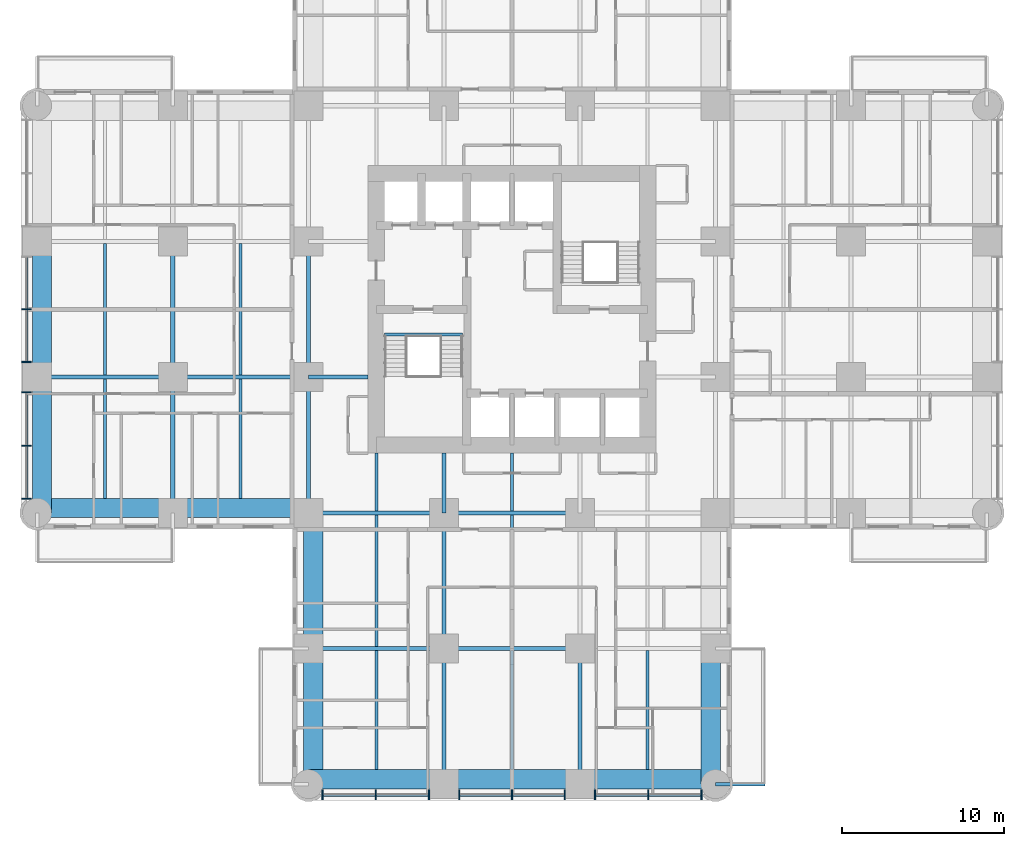
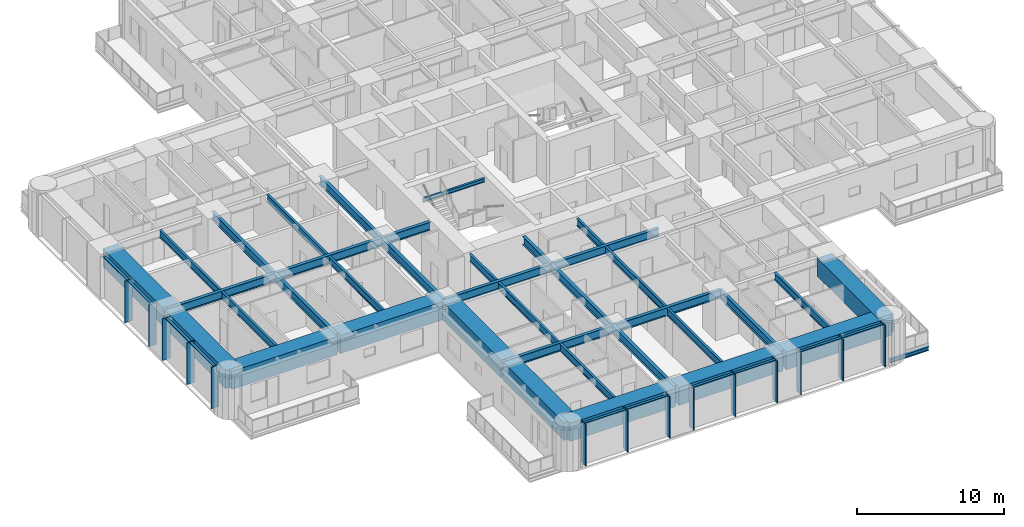
# One storey, part 2 of 17: 38 beams, 24 members, 2 elements without a shape of their own.
"""IFC4 building model written with IfcOpenShell, lengths in metres."""

from ifc_helpers import new_model, si_unit, direction, frame, origin, origin_2d, place, context, subcontext, project, spatial, rectangle, i_section, extrude, material, material_profile, profile_set, type_object, element, aggregate, save


model = new_model("IFC4")

# Units and contexts
model_context = context("Model", 3, precision=1e-05, world=origin(), true_north=direction((0.0, 1.0)))
body_context = subcontext(model_context, "Body", "Model", "MODEL_VIEW")
ifc_project = project(units=[si_unit("LENGTHUNIT", "METRE"), si_unit("AREAUNIT", "SQUARE_METRE"), si_unit("VOLUMEUNIT", "CUBIC_METRE"), si_unit("PLANEANGLEUNIT", "RADIAN"), si_unit("MASSUNIT", "GRAM", prefix="KILO")], contexts=[model_context])

# Site, building, storey
site_placement = place(None, origin())
site = spatial("IfcSite", under=ifc_project, at=site_placement, CompositionType="ELEMENT")
building_placement = place(site_placement, origin())
building = spatial("IfcBuilding", under=site, at=building_placement, Name="Torre Alcanfor", CompositionType="ELEMENT")
storey_placement = place(building_placement, frame((0.0, 0.0, 59.699951171875)))
storey = spatial("IfcBuildingStorey", under=building, at=storey_placement, Name="L14", CompositionType="ELEMENT", Elevation=59.699951171875)

# Beam
ifc_material_1 = material(Name="Steel ASTM A992 Grade 50", Category="steel")
ifc_material_profile_1 = material_profile(ifc_material_1, i_section(OverallWidth=0.205322265625, OverallDepth=0.309814453125, WebThickness=0.00927734375, FlangeThickness=0.016357421875, at=origin_2d()), Name="W12x50")
ifc_profile_set_1 = profile_set([ifc_material_profile_1], Name="Steel ASTM A992 Grade 50")
beam_type_1 = type_object("IfcBeamType", Name="Balcony cantilever beam W12x50", PredefinedType="BEAM", material=ifc_profile_set_1)
beam_1_placement = place(storey_placement, frame((42.0, 0.0, -0.35498046875), z_axis=(1.0, 0.0, 0.0), x_axis=(0.0, 1.0, 0.0)))
element("IfcBeam", 1, at=beam_1_placement, inside=storey, type_object=beam_type_1, Name="Balcony cantilever beam L14-S1 2", PredefinedType="BEAM", context=body_context, shape_type="SweptSolid", body=[
    extrude(i_section(OverallWidth=0.205322265625, OverallDepth=0.309814453125, WebThickness=0.00927734375, FlangeThickness=0.016357421875, at=origin_2d()), origin(), (0.0, 0.0, 1.0), 3.050048828125),
])

# Curtain wall, members
ifc_material_2 = material(Name="Aluminium and glass", Category="aluminium")
curtain_wall_type = type_object("IfcCurtainWallType", Name="CW-A unitised apartment glazing with vertical FIN", PredefinedType="NOTDEFINED", material=ifc_material_2)
curtain_wall_1_placement = place(storey_placement, origin())
curtain_wall_1 = element("IfcCurtainWall", 2, at=curtain_wall_1_placement, inside=storey, type_object=curtain_wall_type, Name="Curtain wall CW-A L14 2", PredefinedType="NOTDEFINED")
ifc_material_3 = material(Name="Bronze anodised aluminium", Category="aluminium")
ifc_material_profile_2 = material_profile(ifc_material_3, rectangle(XDim=0.60009765625, YDim=0.06494140625, at=origin_2d()), Name="CW-A mullion 65x600")
ifc_profile_set_2 = profile_set([ifc_material_profile_2], Name="Bronze anodised aluminium")
member_type_1 = type_object("IfcMemberType", Name="CW-A mullion with vertical FIN 65x600", PredefinedType="MULLION", material=ifc_profile_set_2)
member_1_placement = place(storey_placement, frame((-0.64990234375, 29.39990234375, 0.0), z_axis=(0.0, 0.0, 1.0), x_axis=(1.0, 0.0, 0.0)))
member_1 = element("IfcMember", 3, at=member_1_placement, type_object=member_type_1, Name="CW-A mullion 2.2", PredefinedType="MULLION", context=body_context, shape_type="SweptSolid", body=[
    extrude(rectangle(XDim=0.60009765625, YDim=0.06494140625, at=origin_2d()), origin(), (0.0, 0.0, 1.0), 3.449951171875),
])
member_2_placement = place(storey_placement, frame((-0.64990234375, 26.137451171875, 0.0), z_axis=(0.0, 0.0, 1.0), x_axis=(1.0, 0.0, 0.0)))
member_2 = element("IfcMember", 4, at=member_2_placement, type_object=member_type_1, Name="CW-A mullion 2.3", PredefinedType="MULLION", context=body_context, shape_type="SweptSolid", body=[
    extrude(rectangle(XDim=0.60009765625, YDim=0.06494140625, at=origin_2d()), origin(), (0.0, 0.0, 1.0), 3.449951171875),
])
member_3_placement = place(storey_placement, frame((-0.64990234375, 24.262451171875, 0.0), z_axis=(0.0, 0.0, 1.0), x_axis=(1.0, 0.0, 0.0)))
member_3 = element("IfcMember", 5, at=member_3_placement, type_object=member_type_1, Name="CW-A mullion 3.1", PredefinedType="MULLION", context=body_context, shape_type="SweptSolid", body=[
    extrude(rectangle(XDim=0.60009765625, YDim=0.06494140625, at=origin_2d()), origin(), (0.0, 0.0, 1.0), 3.449951171875),
])
member_4_placement = place(storey_placement, frame((-0.64990234375, 20.96484375, 0.0), z_axis=(0.0, 0.0, 1.0), x_axis=(1.0, 0.0, 0.0)))
member_4 = element("IfcMember", 6, at=member_4_placement, type_object=member_type_1, Name="CW-A mullion 3.2", PredefinedType="MULLION", context=body_context, shape_type="SweptSolid", body=[
    extrude(rectangle(XDim=0.60009765625, YDim=0.06494140625, at=origin_2d()), origin(), (0.0, 0.0, 1.0), 3.449951171875),
])
member_5_placement = place(storey_placement, frame((-0.64990234375, 17.6669921875, 0.0), z_axis=(0.0, 0.0, 1.0), x_axis=(1.0, 0.0, 0.0)))
member_5 = element("IfcMember", 7, at=member_5_placement, type_object=member_type_1, Name="CW-A mullion 3.3", PredefinedType="MULLION", context=body_context, shape_type="SweptSolid", body=[
    extrude(rectangle(XDim=0.60009765625, YDim=0.06494140625, at=origin_2d()), origin(), (0.0, 0.0, 1.0), 3.449951171875),
])

curtain_wall_2_placement = place(storey_placement, origin())
curtain_wall_2 = element("IfcCurtainWall", 8, at=curtain_wall_2_placement, inside=storey, type_object=curtain_wall_type, Name="Curtain wall CW-A L14 5", PredefinedType="NOTDEFINED")
member_6_placement = place(storey_placement, frame((17.6669921875, -0.64990234375, 0.0), z_axis=(0.0, 0.0, 1.0), x_axis=(0.0, 1.0, 0.0)))
member_6 = element("IfcMember", 9, at=member_6_placement, type_object=member_type_1, Name="CW-A mullion 1.1", PredefinedType="MULLION", context=body_context, shape_type="SweptSolid", body=[
    extrude(rectangle(XDim=0.60009765625, YDim=0.06494140625, at=origin_2d()), origin(), (0.0, 0.0, 1.0), 3.449951171875),
])
member_7_placement = place(storey_placement, frame((20.96484375, -0.64990234375, 0.0), z_axis=(0.0, 0.0, 1.0), x_axis=(0.0, 1.0, 0.0)))
member_7 = element("IfcMember", 10, at=member_7_placement, type_object=member_type_1, Name="CW-A mullion 1.2", PredefinedType="MULLION", context=body_context, shape_type="SweptSolid", body=[
    extrude(rectangle(XDim=0.60009765625, YDim=0.06494140625, at=origin_2d()), origin(), (0.0, 0.0, 1.0), 3.449951171875),
])
member_8_placement = place(storey_placement, frame((24.262451171875, -0.64990234375, 0.0), z_axis=(0.0, 0.0, 1.0), x_axis=(0.0, 1.0, 0.0)))
member_8 = element("IfcMember", 11, at=member_8_placement, type_object=member_type_1, Name="CW-A mullion 1.3", PredefinedType="MULLION", context=body_context, shape_type="SweptSolid", body=[
    extrude(rectangle(XDim=0.60009765625, YDim=0.06494140625, at=origin_2d()), origin(), (0.0, 0.0, 1.0), 3.449951171875),
])
member_9_placement = place(storey_placement, frame((26.137451171875, -0.64990234375, 0.0), z_axis=(0.0, 0.0, 1.0), x_axis=(0.0, 1.0, 0.0)))
member_9 = element("IfcMember", 12, at=member_9_placement, type_object=member_type_1, Name="CW-A mullion 2.1", PredefinedType="MULLION", context=body_context, shape_type="SweptSolid", body=[
    extrude(rectangle(XDim=0.60009765625, YDim=0.06494140625, at=origin_2d()), origin(), (0.0, 0.0, 1.0), 3.449951171875),
])
member_10_placement = place(storey_placement, frame((29.39990234375, -0.64990234375, 0.0), z_axis=(0.0, 0.0, 1.0), x_axis=(0.0, 1.0, 0.0)))
member_10 = element("IfcMember", 13, at=member_10_placement, type_object=member_type_1, Name="CW-A mullion 2.2", PredefinedType="MULLION", context=body_context, shape_type="SweptSolid", body=[
    extrude(rectangle(XDim=0.60009765625, YDim=0.06494140625, at=origin_2d()), origin(), (0.0, 0.0, 1.0), 3.449951171875),
])
member_11_placement = place(storey_placement, frame((32.66259765625, -0.64990234375, 0.0), z_axis=(0.0, 0.0, 1.0), x_axis=(0.0, 1.0, 0.0)))
member_11 = element("IfcMember", 14, at=member_11_placement, type_object=member_type_1, Name="CW-A mullion 2.3", PredefinedType="MULLION", context=body_context, shape_type="SweptSolid", body=[
    extrude(rectangle(XDim=0.60009765625, YDim=0.06494140625, at=origin_2d()), origin(), (0.0, 0.0, 1.0), 3.449951171875),
])
member_12_placement = place(storey_placement, frame((34.53759765625, -0.64990234375, 0.0), z_axis=(0.0, 0.0, 1.0), x_axis=(0.0, 1.0, 0.0)))
member_12 = element("IfcMember", 15, at=member_12_placement, type_object=member_type_1, Name="CW-A mullion 3.1", PredefinedType="MULLION", context=body_context, shape_type="SweptSolid", body=[
    extrude(rectangle(XDim=0.60009765625, YDim=0.06494140625, at=origin_2d()), origin(), (0.0, 0.0, 1.0), 3.449951171875),
])
member_13_placement = place(storey_placement, frame((37.835205078125, -0.64990234375, 0.0), z_axis=(0.0, 0.0, 1.0), x_axis=(0.0, 1.0, 0.0)))
member_13 = element("IfcMember", 16, at=member_13_placement, type_object=member_type_1, Name="CW-A mullion 3.2", PredefinedType="MULLION", context=body_context, shape_type="SweptSolid", body=[
    extrude(rectangle(XDim=0.60009765625, YDim=0.06494140625, at=origin_2d()), origin(), (0.0, 0.0, 1.0), 3.449951171875),
])
member_14_placement = place(storey_placement, frame((41.133056640625, -0.64990234375, 0.0), z_axis=(0.0, 0.0, 1.0), x_axis=(0.0, 1.0, 0.0)))
member_14 = element("IfcMember", 17, at=member_14_placement, type_object=member_type_1, Name="CW-A mullion 3.3", PredefinedType="MULLION", context=body_context, shape_type="SweptSolid", body=[
    extrude(rectangle(XDim=0.60009765625, YDim=0.06494140625, at=origin_2d()), origin(), (0.0, 0.0, 1.0), 3.449951171875),
])

# Member
ifc_material_4 = material(Name="Extruded aluminium", Category="aluminium")
ifc_material_profile_3 = material_profile(ifc_material_4, rectangle(XDim=0.199951171875, YDim=0.06494140625, at=origin_2d()), Name="CW-A transom 200x65")
ifc_profile_set_3 = profile_set([ifc_material_profile_3], Name="Extruded aluminium")
member_type_2 = type_object("IfcMemberType", Name="CW-A transom 65x200", PredefinedType="USERDEFINED", material=ifc_profile_set_3)
member_15_placement = place(storey_placement, frame((-0.64990234375, 32.6298828125, 3.41748046875), z_axis=(0.0, -1.0, 0.0), x_axis=(1.0, 0.0, 0.0)))
member_15 = element("IfcMember", 18, at=member_15_placement, type_object=member_type_2, Name="CW-A transom 2.1.2", ObjectType="TRANSOM", PredefinedType="USERDEFINED", context=body_context, shape_type="SweptSolid", body=[
    extrude(rectangle(XDim=0.199951171875, YDim=0.06494140625, at=origin_2d()), origin(), (0.0, 0.0, 1.0), 3.197265625),
])

member_16_placement = place(storey_placement, frame((-0.64990234375, 29.367431640625, 3.41748046875), z_axis=(0.0, -1.0, 0.0), x_axis=(1.0, 0.0, 0.0)))
member_16 = element("IfcMember", 19, at=member_16_placement, type_object=member_type_2, Name="CW-A transom 2.2.2", ObjectType="TRANSOM", PredefinedType="USERDEFINED", context=body_context, shape_type="SweptSolid", body=[
    extrude(rectangle(XDim=0.199951171875, YDim=0.06494140625, at=origin_2d()), origin(), (0.0, 0.0, 1.0), 3.197509765625),
])

member_17_placement = place(storey_placement, frame((-0.64990234375, 24.22998046875, 3.41748046875), z_axis=(0.0, -1.0, 0.0), x_axis=(1.0, 0.0, 0.0)))
member_17 = element("IfcMember", 20, at=member_17_placement, type_object=member_type_2, Name="CW-A transom 3.1.2", ObjectType="TRANSOM", PredefinedType="USERDEFINED", context=body_context, shape_type="SweptSolid", body=[
    extrude(rectangle(XDim=0.199951171875, YDim=0.06494140625, at=origin_2d()), origin(), (0.0, 0.0, 1.0), 3.232666015625),
])

member_18_placement = place(storey_placement, frame((-0.64990234375, 20.93212890625, 3.41748046875), z_axis=(0.0, -1.0, 0.0), x_axis=(1.0, 0.0, 0.0)))
member_18 = element("IfcMember", 21, at=member_18_placement, type_object=member_type_2, Name="CW-A transom 3.2.2", ObjectType="TRANSOM", PredefinedType="USERDEFINED", context=body_context, shape_type="SweptSolid", body=[
    extrude(rectangle(XDim=0.199951171875, YDim=0.06494140625, at=origin_2d()), origin(), (0.0, 0.0, 1.0), 3.232666015625),
])

aggregate(curtain_wall_1, [member_1, member_2, member_15, member_16, member_3, member_4, member_5, member_17, member_18])

member_19_placement = place(storey_placement, frame((17.699462890625, -0.64990234375, 3.41748046875), z_axis=(1.0, 0.0, 0.0), x_axis=(0.0, 1.0, 0.0)))
member_19 = element("IfcMember", 22, at=member_19_placement, type_object=member_type_2, Name="CW-A transom 1.1.2", ObjectType="TRANSOM", PredefinedType="USERDEFINED", context=body_context, shape_type="SweptSolid", body=[
    extrude(rectangle(XDim=0.199951171875, YDim=0.06494140625, at=origin_2d()), origin(), (0.0, 0.0, 1.0), 3.232666015625),
])

member_20_placement = place(storey_placement, frame((20.997314453125, -0.64990234375, 3.41748046875), z_axis=(1.0, 0.0, 0.0), x_axis=(0.0, 1.0, 0.0)))
member_20 = element("IfcMember", 23, at=member_20_placement, type_object=member_type_2, Name="CW-A transom 1.2.2", ObjectType="TRANSOM", PredefinedType="USERDEFINED", context=body_context, shape_type="SweptSolid", body=[
    extrude(rectangle(XDim=0.199951171875, YDim=0.06494140625, at=origin_2d()), origin(), (0.0, 0.0, 1.0), 3.232666015625),
])

member_21_placement = place(storey_placement, frame((26.169921875, -0.64990234375, 3.41748046875), z_axis=(1.0, 0.0, 0.0), x_axis=(0.0, 1.0, 0.0)))
member_21 = element("IfcMember", 24, at=member_21_placement, type_object=member_type_2, Name="CW-A transom 2.1.2", ObjectType="TRANSOM", PredefinedType="USERDEFINED", context=body_context, shape_type="SweptSolid", body=[
    extrude(rectangle(XDim=0.199951171875, YDim=0.06494140625, at=origin_2d()), origin(), (0.0, 0.0, 1.0), 3.197509765625),
])

member_22_placement = place(storey_placement, frame((29.4326171875, -0.64990234375, 3.41748046875), z_axis=(1.0, 0.0, 0.0), x_axis=(0.0, 1.0, 0.0)))
member_22 = element("IfcMember", 25, at=member_22_placement, type_object=member_type_2, Name="CW-A transom 2.2.2", ObjectType="TRANSOM", PredefinedType="USERDEFINED", context=body_context, shape_type="SweptSolid", body=[
    extrude(rectangle(XDim=0.199951171875, YDim=0.06494140625, at=origin_2d()), origin(), (0.0, 0.0, 1.0), 3.197265625),
])

member_23_placement = place(storey_placement, frame((34.570068359375, -0.64990234375, 3.41748046875), z_axis=(1.0, 0.0, 0.0), x_axis=(0.0, 1.0, 0.0)))
member_23 = element("IfcMember", 26, at=member_23_placement, type_object=member_type_2, Name="CW-A transom 3.1.2", ObjectType="TRANSOM", PredefinedType="USERDEFINED", context=body_context, shape_type="SweptSolid", body=[
    extrude(rectangle(XDim=0.199951171875, YDim=0.06494140625, at=origin_2d()), origin(), (0.0, 0.0, 1.0), 3.232666015625),
])

member_24_placement = place(storey_placement, frame((37.86767578125, -0.64990234375, 3.41748046875), z_axis=(1.0, 0.0, 0.0), x_axis=(0.0, 1.0, 0.0)))
member_24 = element("IfcMember", 27, at=member_24_placement, type_object=member_type_2, Name="CW-A transom 3.2.2", ObjectType="TRANSOM", PredefinedType="USERDEFINED", context=body_context, shape_type="SweptSolid", body=[
    extrude(rectangle(XDim=0.199951171875, YDim=0.06494140625, at=origin_2d()), origin(), (0.0, 0.0, 1.0), 3.23291015625),
])

aggregate(curtain_wall_2, [member_6, member_7, member_8, member_19, member_20, member_9, member_10, member_11, member_21, member_22, member_12, member_13, member_14, member_23, member_24])

# Beams
ifc_material_5 = material(Name="Steel ASTM A992 Grade 50", Category="steel")
ifc_material_profile_4 = material_profile(ifc_material_5, i_section(OverallWidth=0.25390625, OverallDepth=0.683349609375, WebThickness=0.012451171875, FlangeThickness=0.01904296875, at=origin_2d()), Name="W27x94")
ifc_profile_set_4 = profile_set([ifc_material_profile_4], Name="Steel ASTM A992 Grade 50")
beam_type_2 = type_object("IfcBeamType", Name="Girder W27x94", PredefinedType="BEAM", material=ifc_profile_set_4)
beam_2_placement = place(storey_placement, frame((16.800048828125, 8.39990234375, 3.1083984375), z_axis=(1.0, 0.0, 0.0), x_axis=(0.0, 1.0, 0.0)))
element("IfcBeam", 28, at=beam_2_placement, inside=storey, type_object=beam_type_2, Name="Beam 3D-4D under L15", PredefinedType="BEAM", context=body_context, shape_type="SweptSolid", body=[
    extrude(i_section(OverallWidth=0.25390625, OverallDepth=0.683349609375, WebThickness=0.012451171875, FlangeThickness=0.01904296875, at=origin_2d()), origin(), (0.0, 0.0, 1.0), 8.39990234375),
])
beam_3_placement = place(storey_placement, frame((25.199951171875, 8.39990234375, 3.1083984375), z_axis=(1.0, 0.0, 0.0), x_axis=(0.0, 1.0, 0.0)))
element("IfcBeam", 29, at=beam_3_placement, inside=storey, type_object=beam_type_2, Name="Beam 4D-5D under L15", PredefinedType="BEAM", context=body_context, shape_type="SweptSolid", body=[
    extrude(i_section(OverallWidth=0.25390625, OverallDepth=0.683349609375, WebThickness=0.012451171875, FlangeThickness=0.01904296875, at=origin_2d()), origin(), (0.0, 0.0, 1.0), 8.400146484375),
])
beam_4_placement = place(storey_placement, frame((16.800048828125, 16.800048828125, 3.1083984375), z_axis=(1.0, 0.0, 0.0), x_axis=(0.0, 1.0, 0.0)))
element("IfcBeam", 30, at=beam_4_placement, inside=storey, type_object=beam_type_2, Name="Beam 3E-4E under L15", PredefinedType="BEAM", context=body_context, shape_type="SweptSolid", body=[
    extrude(i_section(OverallWidth=0.25390625, OverallDepth=0.683349609375, WebThickness=0.012451171875, FlangeThickness=0.01904296875, at=origin_2d()), origin(), (0.0, 0.0, 1.0), 8.39990234375),
])
beam_5_placement = place(storey_placement, frame((25.199951171875, 16.800048828125, 3.1083984375), z_axis=(1.0, 0.0, 0.0), x_axis=(0.0, 1.0, 0.0)))
element("IfcBeam", 31, at=beam_5_placement, inside=storey, type_object=beam_type_2, Name="Beam 4E-5E under L15", PredefinedType="BEAM", context=body_context, shape_type="SweptSolid", body=[
    extrude(i_section(OverallWidth=0.25390625, OverallDepth=0.683349609375, WebThickness=0.012451171875, FlangeThickness=0.01904296875, at=origin_2d()), origin(), (0.0, 0.0, 1.0), 8.400146484375),
])
beam_6_placement = place(storey_placement, frame((0.0, 25.199951171875, 3.1083984375), z_axis=(1.0, 0.0, 0.0), x_axis=(0.0, 1.0, 0.0)))
element("IfcBeam", 32, at=beam_6_placement, inside=storey, type_object=beam_type_2, Name="Beam 1F-2F under L15", PredefinedType="BEAM", context=body_context, shape_type="SweptSolid", body=[
    extrude(i_section(OverallWidth=0.25390625, OverallDepth=0.683349609375, WebThickness=0.012451171875, FlangeThickness=0.01904296875, at=origin_2d()), origin(), (0.0, 0.0, 1.0), 8.39990234375),
])
beam_7_placement = place(storey_placement, frame((8.39990234375, 25.199951171875, 3.1083984375), z_axis=(1.0, 0.0, 0.0), x_axis=(0.0, 1.0, 0.0)))
element("IfcBeam", 33, at=beam_7_placement, inside=storey, type_object=beam_type_2, Name="Beam 2F-3F under L15", PredefinedType="BEAM", context=body_context, shape_type="SweptSolid", body=[
    extrude(i_section(OverallWidth=0.25390625, OverallDepth=0.683349609375, WebThickness=0.012451171875, FlangeThickness=0.01904296875, at=origin_2d()), origin(), (0.0, 0.0, 1.0), 8.400146484375),
])
beam_8_placement = place(storey_placement, frame((8.39990234375, 16.800048828125, 3.1083984375), z_axis=(0.0, 1.0, 0.0), x_axis=(-1.0, 0.0, 0.0)))
element("IfcBeam", 34, at=beam_8_placement, inside=storey, type_object=beam_type_2, Name="Beam 2E-2F under L15", PredefinedType="BEAM", context=body_context, shape_type="SweptSolid", body=[
    extrude(i_section(OverallWidth=0.25390625, OverallDepth=0.683349609375, WebThickness=0.012451171875, FlangeThickness=0.01904296875, at=origin_2d()), origin(), (0.0, 0.0, 1.0), 8.39990234375),
])
beam_9_placement = place(storey_placement, frame((8.39990234375, 25.199951171875, 3.1083984375), z_axis=(0.0, 1.0, 0.0), x_axis=(-1.0, 0.0, 0.0)))
element("IfcBeam", 35, at=beam_9_placement, inside=storey, type_object=beam_type_2, Name="Beam 2F-2G under L15", PredefinedType="BEAM", context=body_context, shape_type="SweptSolid", body=[
    extrude(i_section(OverallWidth=0.25390625, OverallDepth=0.683349609375, WebThickness=0.012451171875, FlangeThickness=0.01904296875, at=origin_2d()), origin(), (0.0, 0.0, 1.0), 8.400146484375),
])
beam_10_placement = place(storey_placement, frame((16.800048828125, 16.800048828125, 3.1083984375), z_axis=(0.0, 1.0, 0.0), x_axis=(-1.0, 0.0, 0.0)))
element("IfcBeam", 36, at=beam_10_placement, inside=storey, type_object=beam_type_2, Name="Beam 3E-3F under L15", PredefinedType="BEAM", context=body_context, shape_type="SweptSolid", body=[
    extrude(i_section(OverallWidth=0.25390625, OverallDepth=0.683349609375, WebThickness=0.012451171875, FlangeThickness=0.01904296875, at=origin_2d()), origin(), (0.0, 0.0, 1.0), 8.39990234375),
])
beam_11_placement = place(storey_placement, frame((16.800048828125, 25.199951171875, 3.1083984375), z_axis=(0.0, 1.0, 0.0), x_axis=(-1.0, 0.0, 0.0)))
element("IfcBeam", 37, at=beam_11_placement, inside=storey, type_object=beam_type_2, Name="Beam 3F-3G under L15", PredefinedType="BEAM", context=body_context, shape_type="SweptSolid", body=[
    extrude(i_section(OverallWidth=0.25390625, OverallDepth=0.683349609375, WebThickness=0.012451171875, FlangeThickness=0.01904296875, at=origin_2d()), origin(), (0.0, 0.0, 1.0), 8.400146484375),
])
beam_12_placement = place(storey_placement, frame((25.199951171875, 0.0, 3.1083984375), z_axis=(0.0, 1.0, 0.0), x_axis=(-1.0, 0.0, 0.0)))
element("IfcBeam", 38, at=beam_12_placement, inside=storey, type_object=beam_type_2, Name="Beam 4C-4D under L15", PredefinedType="BEAM", context=body_context, shape_type="SweptSolid", body=[
    extrude(i_section(OverallWidth=0.25390625, OverallDepth=0.683349609375, WebThickness=0.012451171875, FlangeThickness=0.01904296875, at=origin_2d()), origin(), (0.0, 0.0, 1.0), 8.39990234375),
])
beam_13_placement = place(storey_placement, frame((25.199951171875, 8.39990234375, 3.1083984375), z_axis=(0.0, 1.0, 0.0), x_axis=(-1.0, 0.0, 0.0)))
element("IfcBeam", 39, at=beam_13_placement, inside=storey, type_object=beam_type_2, Name="Beam 4D-4E under L15", PredefinedType="BEAM", context=body_context, shape_type="SweptSolid", body=[
    extrude(i_section(OverallWidth=0.25390625, OverallDepth=0.683349609375, WebThickness=0.012451171875, FlangeThickness=0.01904296875, at=origin_2d()), origin(), (0.0, 0.0, 1.0), 8.400146484375),
])
beam_14_placement = place(storey_placement, frame((33.60009765625, 0.0, 3.1083984375), z_axis=(0.0, 1.0, 0.0), x_axis=(-1.0, 0.0, 0.0)))
element("IfcBeam", 40, at=beam_14_placement, inside=storey, type_object=beam_type_2, Name="Beam 5C-5D under L15", PredefinedType="BEAM", context=body_context, shape_type="SweptSolid", body=[
    extrude(i_section(OverallWidth=0.25390625, OverallDepth=0.683349609375, WebThickness=0.012451171875, FlangeThickness=0.01904296875, at=origin_2d()), origin(), (0.0, 0.0, 1.0), 8.39990234375),
])
ifc_material_6 = material(Name="Steel ASTM A992 Grade 50", Category="steel")
ifc_material_profile_5 = material_profile(ifc_material_6, i_section(OverallWidth=0.25390625, OverallDepth=0.683349609375, WebThickness=0.012451171875, FlangeThickness=0.01904296875, at=origin_2d()), Name="W27x94")
ifc_profile_set_5 = profile_set([ifc_material_profile_5], Name="Steel ASTM A992 Grade 50")
beam_type_3 = type_object("IfcBeamType", Name="Girder, part bay W27x94", PredefinedType="BEAM", material=ifc_profile_set_5)
for number, where, z_axis, x_axis, name in (
    (41, (25.199951171875, 16.800048828125, 3.1083984375), (0.0, 1.0, 0.0), (-1.0, 0.0, 0.0), "Beam 4E-420_5 under L15"),
    (42, (16.800048828125, 25.199951171875, 3.1083984375), (1.0, 0.0, 0.0), (0.0, 1.0, 0.0), "Beam 3F-20_5F under L15"),
):
    element("IfcBeam", number, at=place(storey_placement, frame(where, z_axis=z_axis, x_axis=x_axis)), inside=storey, type_object=beam_type_3, Name=name, PredefinedType="BEAM", context=body_context, shape_type="SweptSolid", body=[
        extrude(i_section(OverallWidth=0.25390625, OverallDepth=0.683349609375, WebThickness=0.012451171875, FlangeThickness=0.01904296875, at=origin_2d()), origin(), (0.0, 0.0, 1.0), 3.699951171875),
    ])
ifc_material_7 = material(Name="Concrete f'c 70 MPa", Category="concrete")
ifc_material_profile_6 = material_profile(ifc_material_7, rectangle(XDim=1.199951171875, YDim=1.5, at=origin_2d()), Name="1200x1500")
ifc_profile_set_6 = profile_set([ifc_material_profile_6], Name="Concrete f'c 70 MPa")
beam_type_4 = type_object("IfcBeamType", Name="RC perimeter beam 1200x1500", PredefinedType="BEAM", material=ifc_profile_set_6)
beam_15_placement = place(storey_placement, frame((16.800048828125, 0.300048828125, 2.699951171875), z_axis=(1.0, 0.0, 0.0), x_axis=(0.0, 1.0, 0.0)))
element("IfcBeam", 43, at=beam_15_placement, inside=storey, type_object=beam_type_4, Name="Beam 3C-4C under L15", PredefinedType="BEAM", context=body_context, shape_type="SweptSolid", body=[
    extrude(rectangle(XDim=1.199951171875, YDim=1.5, at=origin_2d()), origin(), (0.0, 0.0, 1.0), 8.27294921875),
])
beam_16_placement = place(storey_placement, frame((25.326904296875, 0.300048828125, 2.699951171875), z_axis=(1.0, 0.0, 0.0), x_axis=(0.0, 1.0, 0.0)))
element("IfcBeam", 44, at=beam_16_placement, inside=storey, type_object=beam_type_4, Name="Beam 4C-5C under L15", PredefinedType="BEAM", context=body_context, shape_type="SweptSolid", body=[
    extrude(rectangle(XDim=1.199951171875, YDim=1.5, at=origin_2d()), origin(), (0.0, 0.0, 1.0), 8.14599609375),
])
for number, where, z_axis, x_axis, name in (
    (45, (33.72705078125, 0.300048828125, 2.699951171875), (1.0, 0.0, 0.0), (0.0, 1.0, 0.0), "Beam 5C-6C under L15"),
    (46, (0.0, 17.10009765625, 2.699951171875), (1.0, 0.0, 0.0), (0.0, 1.0, 0.0), "Beam 1E-2E under L15"),
):
    element("IfcBeam", number, at=place(storey_placement, frame(where, z_axis=z_axis, x_axis=x_axis)), inside=storey, type_object=beam_type_4, Name=name, PredefinedType="BEAM", context=body_context, shape_type="SweptSolid", body=[
        extrude(rectangle(XDim=1.199951171875, YDim=1.5, at=origin_2d()), origin(), (0.0, 0.0, 1.0), 8.27294921875),
    ])
beam_17_placement = place(storey_placement, frame((8.527099609375, 17.10009765625, 2.699951171875), z_axis=(1.0, 0.0, 0.0), x_axis=(0.0, 1.0, 0.0)))
element("IfcBeam", 47, at=beam_17_placement, inside=storey, type_object=beam_type_4, Name="Beam 2E-3E under L15", PredefinedType="BEAM", context=body_context, shape_type="SweptSolid", body=[
    extrude(rectangle(XDim=1.199951171875, YDim=1.5, at=origin_2d()), origin(), (0.0, 0.0, 1.0), 8.14599609375),
])
beam_18_placement = place(storey_placement, frame((0.300048828125, 16.800048828125, 2.699951171875), z_axis=(0.0, 1.0, 0.0), x_axis=(-1.0, 0.0, 0.0)))
element("IfcBeam", 48, at=beam_18_placement, inside=storey, type_object=beam_type_4, Name="Beam 1E-1F under L15", PredefinedType="BEAM", context=body_context, shape_type="SweptSolid", body=[
    extrude(rectangle(XDim=1.199951171875, YDim=1.5, at=origin_2d()), origin(), (0.0, 0.0, 1.0), 8.27294921875),
])
beam_19_placement = place(storey_placement, frame((0.300048828125, 25.326904296875, 2.699951171875), z_axis=(0.0, 1.0, 0.0), x_axis=(-1.0, 0.0, 0.0)))
element("IfcBeam", 49, at=beam_19_placement, inside=storey, type_object=beam_type_4, Name="Beam 1F-1G under L15", PredefinedType="BEAM", context=body_context, shape_type="SweptSolid", body=[
    extrude(rectangle(XDim=1.199951171875, YDim=1.5, at=origin_2d()), origin(), (0.0, 0.0, 1.0), 8.14599609375),
])
beam_20_placement = place(storey_placement, frame((17.10009765625, 0.0, 2.699951171875), z_axis=(0.0, 1.0, 0.0), x_axis=(-1.0, 0.0, 0.0)))
element("IfcBeam", 50, at=beam_20_placement, inside=storey, type_object=beam_type_4, Name="Beam 3C-3D under L15", PredefinedType="BEAM", context=body_context, shape_type="SweptSolid", body=[
    extrude(rectangle(XDim=1.199951171875, YDim=1.5, at=origin_2d()), origin(), (0.0, 0.0, 1.0), 8.27294921875),
])
beam_21_placement = place(storey_placement, frame((17.10009765625, 8.527099609375, 2.699951171875), z_axis=(0.0, 1.0, 0.0), x_axis=(-1.0, 0.0, 0.0)))
element("IfcBeam", 51, at=beam_21_placement, inside=storey, type_object=beam_type_4, Name="Beam 3D-3E under L15", PredefinedType="BEAM", context=body_context, shape_type="SweptSolid", body=[
    extrude(rectangle(XDim=1.199951171875, YDim=1.5, at=origin_2d()), origin(), (0.0, 0.0, 1.0), 8.14599609375),
])
beam_22_placement = place(storey_placement, frame((41.699951171875, 0.0, 2.699951171875), z_axis=(0.0, 1.0, 0.0), x_axis=(-1.0, 0.0, 0.0)))
element("IfcBeam", 52, at=beam_22_placement, inside=storey, type_object=beam_type_4, Name="Beam 6C-6D under L15", PredefinedType="BEAM", context=body_context, shape_type="SweptSolid", body=[
    extrude(rectangle(XDim=1.199951171875, YDim=1.5, at=origin_2d()), origin(), (0.0, 0.0, 1.0), 8.27294921875),
])
ifc_material_8 = material(Name="Steel ASTM A992 Grade 50", Category="steel")
ifc_material_profile_7 = material_profile(ifc_material_8, i_section(OverallWidth=0.1787109375, OverallDepth=0.60205078125, WebThickness=0.010986328125, FlangeThickness=0.014892578125, at=origin_2d()), Name="W24x62")
ifc_profile_set_7 = profile_set([ifc_material_profile_7], Name="Steel ASTM A992 Grade 50")
beam_type_5 = type_object("IfcBeamType", Name="Secondary beam W24x62", PredefinedType="BEAM", material=ifc_profile_set_7)
beam_23_placement = place(storey_placement, frame((4.199951171875, 17.699951171875, 3.149169921875), z_axis=(0.0, 1.0, 0.0), x_axis=(-1.0, 0.0, 0.0)))
element("IfcBeam", 53, at=beam_23_placement, inside=storey, type_object=beam_type_5, Name="Beam 4_2E-4_2F under L15", PredefinedType="BEAM", context=body_context, shape_type="SweptSolid", body=[
    extrude(i_section(OverallWidth=0.1787109375, OverallDepth=0.60205078125, WebThickness=0.010986328125, FlangeThickness=0.014892578125, at=origin_2d()), origin(), (0.0, 0.0, 1.0), 7.373046875),
])
beam_24_placement = place(storey_placement, frame((4.199951171875, 25.326904296875, 3.149169921875), z_axis=(0.0, 1.0, 0.0), x_axis=(-1.0, 0.0, 0.0)))
element("IfcBeam", 54, at=beam_24_placement, inside=storey, type_object=beam_type_5, Name="Beam 4_2F-4_2G under L15", PredefinedType="BEAM", context=body_context, shape_type="SweptSolid", body=[
    extrude(i_section(OverallWidth=0.1787109375, OverallDepth=0.60205078125, WebThickness=0.010986328125, FlangeThickness=0.014892578125, at=origin_2d()), origin(), (0.0, 0.0, 1.0), 8.14599609375),
])
beam_25_placement = place(storey_placement, frame((12.60009765625, 17.699951171875, 3.149169921875), z_axis=(0.0, 1.0, 0.0), x_axis=(-1.0, 0.0, 0.0)))
element("IfcBeam", 55, at=beam_25_placement, inside=storey, type_object=beam_type_5, Name="Beam 12_6E-12_6F under L15", PredefinedType="BEAM", context=body_context, shape_type="SweptSolid", body=[
    extrude(i_section(OverallWidth=0.1787109375, OverallDepth=0.60205078125, WebThickness=0.010986328125, FlangeThickness=0.014892578125, at=origin_2d()), origin(), (0.0, 0.0, 1.0), 7.373046875),
])
beam_26_placement = place(storey_placement, frame((12.60009765625, 25.326904296875, 3.149169921875), z_axis=(0.0, 1.0, 0.0), x_axis=(-1.0, 0.0, 0.0)))
element("IfcBeam", 56, at=beam_26_placement, inside=storey, type_object=beam_type_5, Name="Beam 12_6F-12_6G under L15", PredefinedType="BEAM", context=body_context, shape_type="SweptSolid", body=[
    extrude(i_section(OverallWidth=0.1787109375, OverallDepth=0.60205078125, WebThickness=0.010986328125, FlangeThickness=0.014892578125, at=origin_2d()), origin(), (0.0, 0.0, 1.0), 8.14599609375),
])
beam_27_placement = place(storey_placement, frame((21.0, 0.89990234375, 3.149169921875), z_axis=(0.0, 1.0, 0.0), x_axis=(-1.0, 0.0, 0.0)))
element("IfcBeam", 57, at=beam_27_placement, inside=storey, type_object=beam_type_5, Name="Beam 21C-21D under L15", PredefinedType="BEAM", context=body_context, shape_type="SweptSolid", body=[
    extrude(i_section(OverallWidth=0.1787109375, OverallDepth=0.60205078125, WebThickness=0.010986328125, FlangeThickness=0.014892578125, at=origin_2d()), origin(), (0.0, 0.0, 1.0), 7.373046875),
])
beam_28_placement = place(storey_placement, frame((21.0, 8.527099609375, 3.149169921875), z_axis=(0.0, 1.0, 0.0), x_axis=(-1.0, 0.0, 0.0)))
element("IfcBeam", 58, at=beam_28_placement, inside=storey, type_object=beam_type_5, Name="Beam 21D-21E under L15", PredefinedType="BEAM", context=body_context, shape_type="SweptSolid", body=[
    extrude(i_section(OverallWidth=0.1787109375, OverallDepth=0.60205078125, WebThickness=0.010986328125, FlangeThickness=0.014892578125, at=origin_2d()), origin(), (0.0, 0.0, 1.0), 8.14599609375),
])
beam_29_placement = place(storey_placement, frame((29.39990234375, 0.89990234375, 3.149169921875), z_axis=(0.0, 1.0, 0.0), x_axis=(-1.0, 0.0, 0.0)))
element("IfcBeam", 59, at=beam_29_placement, inside=storey, type_object=beam_type_5, Name="Beam 29_4C-29_4D under L15", PredefinedType="BEAM", context=body_context, shape_type="SweptSolid", body=[
    extrude(i_section(OverallWidth=0.1787109375, OverallDepth=0.60205078125, WebThickness=0.010986328125, FlangeThickness=0.014892578125, at=origin_2d()), origin(), (0.0, 0.0, 1.0), 7.373046875),
])
beam_30_placement = place(storey_placement, frame((29.39990234375, 8.527099609375, 3.149169921875), z_axis=(0.0, 1.0, 0.0), x_axis=(-1.0, 0.0, 0.0)))
element("IfcBeam", 60, at=beam_30_placement, inside=storey, type_object=beam_type_5, Name="Beam 29_4D-29_4E under L15", PredefinedType="BEAM", context=body_context, shape_type="SweptSolid", body=[
    extrude(i_section(OverallWidth=0.1787109375, OverallDepth=0.60205078125, WebThickness=0.010986328125, FlangeThickness=0.014892578125, at=origin_2d()), origin(), (0.0, 0.0, 1.0), 8.14599609375),
])
beam_31_placement = place(storey_placement, frame((37.800048828125, 0.89990234375, 3.149169921875), z_axis=(0.0, 1.0, 0.0), x_axis=(-1.0, 0.0, 0.0)))
element("IfcBeam", 61, at=beam_31_placement, inside=storey, type_object=beam_type_5, Name="Beam 37_8C-37_8D under L15", PredefinedType="BEAM", context=body_context, shape_type="SweptSolid", body=[
    extrude(i_section(OverallWidth=0.1787109375, OverallDepth=0.60205078125, WebThickness=0.010986328125, FlangeThickness=0.014892578125, at=origin_2d()), origin(), (0.0, 0.0, 1.0), 7.373046875),
])
ifc_material_9 = material(Name="Steel ASTM A992 Grade 50", Category="steel")
ifc_material_profile_8 = material_profile(ifc_material_9, i_section(OverallWidth=0.1787109375, OverallDepth=0.60205078125, WebThickness=0.010986328125, FlangeThickness=0.014892578125, at=origin_2d()), Name="W24x62")
ifc_profile_set_8 = profile_set([ifc_material_profile_8], Name="Steel ASTM A992 Grade 50")
beam_type_6 = type_object("IfcBeamType", Name="Secondary beam, part bay W24x62", PredefinedType="BEAM", material=ifc_profile_set_8)
for number, where, z_axis, x_axis, name in (
    (62, (21.0, 16.927001953125, 3.149169921875), (0.0, 1.0, 0.0), (-1.0, 0.0, 0.0), "Beam 21E-2120_5 under L15"),
    (63, (29.39990234375, 16.927001953125, 3.149169921875), (0.0, 1.0, 0.0), (-1.0, 0.0, 0.0), "Beam 29_4E-29_420_5 under L15"),
):
    element("IfcBeam", number, at=place(storey_placement, frame(where, z_axis=z_axis, x_axis=x_axis)), inside=storey, type_object=beam_type_6, Name=name, PredefinedType="BEAM", context=body_context, shape_type="SweptSolid", body=[
        extrude(i_section(OverallWidth=0.1787109375, OverallDepth=0.60205078125, WebThickness=0.010986328125, FlangeThickness=0.014892578125, at=origin_2d()), origin(), (0.0, 0.0, 1.0), 3.572998046875),
    ])
ifc_material_10 = material(Name="Steel ASTM A992 Grade 50", Category="steel")
ifc_material_profile_9 = material_profile(ifc_material_10, i_section(OverallWidth=0.164794921875, OverallDepth=0.309814453125, WebThickness=0.005859375, FlangeThickness=0.009765625, at=origin_2d()), Name="W12x26")
ifc_profile_set_9 = profile_set([ifc_material_profile_9], Name="Steel ASTM A992 Grade 50")
beam_type_7 = type_object("IfcBeamType", Name="Stair landing beam W12x26", PredefinedType="BEAM", material=ifc_profile_set_9)
beam_32_placement = place(storey_placement, frame((21.5, 27.83740234375, 3.2451171875), z_axis=(1.0, 0.0, 0.0), x_axis=(0.0, 1.0, 0.0)))
element("IfcBeam", 64, at=beam_32_placement, inside=storey, type_object=beam_type_7, Name="Landing trimmer S1 L15", PredefinedType="BEAM", context=body_context, shape_type="SweptSolid", body=[
    extrude(i_section(OverallWidth=0.164794921875, OverallDepth=0.309814453125, WebThickness=0.005859375, FlangeThickness=0.009765625, at=origin_2d()), origin(), (0.0, 0.0, 1.0), 4.85009765625),
])

save(model, "model.ifc")
